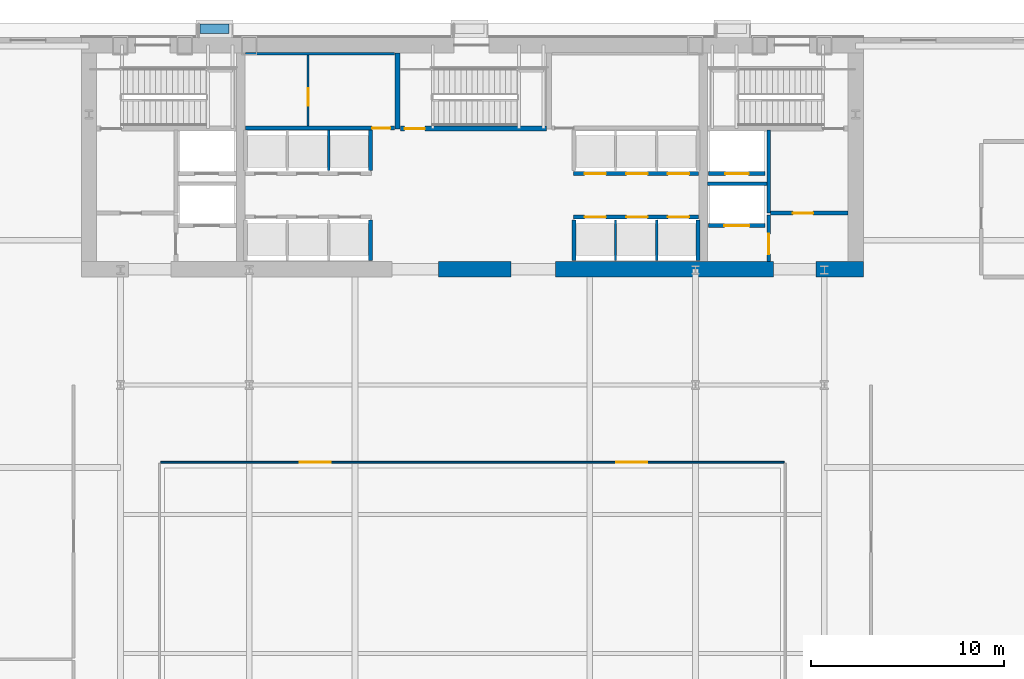
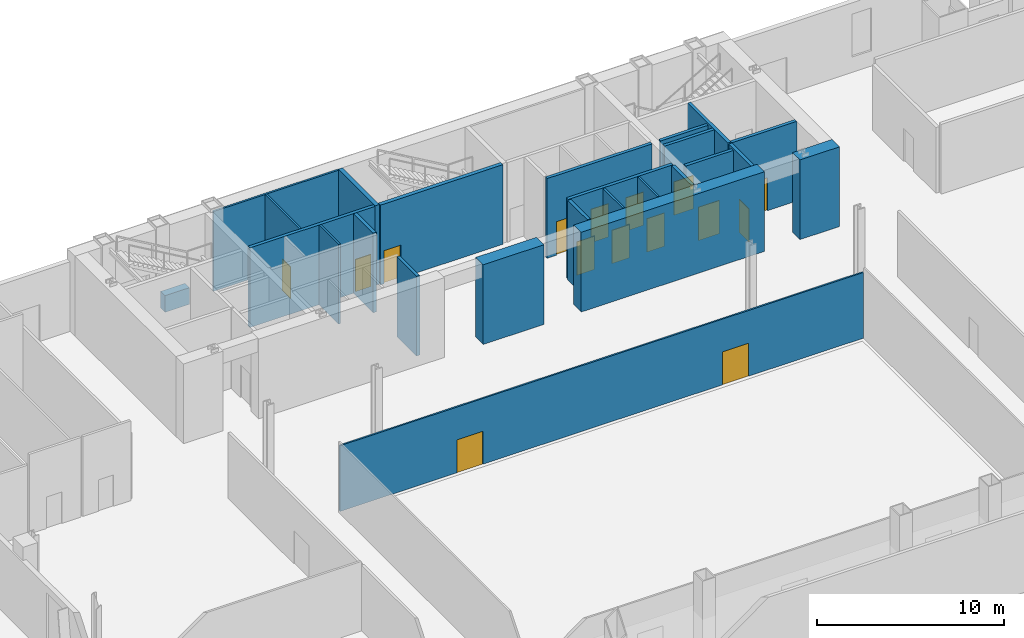
# One storey, part 10 of 16: 25 walls, 15 doors, 15 openings.
"""IFC4 building model written with IfcOpenShell, lengths in metres."""

from ifc_helpers import new_model, si_unit, direction, frame, frame_2d, origin, place, context, subcontext, project, spatial, rectangle, extrude, material, layer, layer_set, type_object, element, fill, save


model = new_model("IFC4")

# Units and contexts
model_context = context("Model", 3, precision=1e-05, world=origin(), true_north=direction((0.0, 1.0)))
body_context = subcontext(model_context, "Body", "Model", "MODEL_VIEW")
ifc_project = project(units=[si_unit("LENGTHUNIT", "METRE"), si_unit("AREAUNIT", "SQUARE_METRE"), si_unit("VOLUMEUNIT", "CUBIC_METRE"), si_unit("PLANEANGLEUNIT", "RADIAN"), si_unit("MASSUNIT", "GRAM", prefix="KILO")], contexts=[model_context])

# Site, building, storey
site_placement = place(None, origin())
site = spatial("IfcSite", under=ifc_project, at=site_placement, CompositionType="ELEMENT")
building_placement = place(site_placement, origin())
building = spatial("IfcBuilding", under=site, at=building_placement, Name="Khoronbel Lancet Exchange", CompositionType="ELEMENT")
storey_placement = place(building_placement, origin())
storey = spatial("IfcBuildingStorey", under=building, at=storey_placement, Name="L00", CompositionType="ELEMENT", Elevation=0.0)

# Walls
ifc_material_1 = material(Name="Concrete C80/95", Category="concrete")
ifc_layer_1 = layer(ifc_material_1, 0.800048828125, Name="Concrete C80/95")
ifc_layer_set_1 = layer_set([ifc_layer_1], Name="Concrete C80/95")
wall_type_1 = type_object("IfcWallType", Name="WL-CW1", PredefinedType="SHEAR", material=ifc_layer_set_1)
wall_1_placement = place(storey_placement, frame((38.449951171875, 41.699951171875, 0.0), z_axis=(0.0, 0.0, 1.0), x_axis=(-1.0, 0.0, 0.0)))
element("IfcWall", 1, at=wall_1_placement, inside=storey, type_object=wall_type_1, Name="Level L00 rear core south shear wall pier P3", PredefinedType="SHEAR", context=body_context, shape_type="SweptSolid", body=[
    extrude(rectangle(XDim=3.75, YDim=0.800048828125, at=frame_2d((1.875, 0.0))), origin(), (0.0, 0.0, 1.0), 5.199951171875),
])
wall_2_placement = place(storey_placement, frame((52.050048828125, 41.699951171875, 0.0), z_axis=(0.0, 0.0, 1.0), x_axis=(-1.0, 0.0, 0.0)))
element("IfcWall", 2, at=wall_2_placement, inside=storey, type_object=wall_type_1, Name="Level L00 rear core south shear wall pier P4", PredefinedType="SHEAR", context=body_context, shape_type="SweptSolid", body=[
    extrude(rectangle(XDim=11.300048828125, YDim=0.800048828125, at=frame_2d((5.64990234375, 0.0))), origin(), (0.0, 0.0, 1.0), 5.199951171875),
])
wall_3_placement = place(storey_placement, frame((56.699951171875, 41.699951171875, 0.0), z_axis=(0.0, 0.0, 1.0), x_axis=(-1.0, 0.0, 0.0)))
element("IfcWall", 3, at=wall_3_placement, inside=storey, type_object=wall_type_1, Name="Level L00 rear core south shear wall pier P5", PredefinedType="SHEAR", context=body_context, shape_type="SweptSolid", body=[
    extrude(rectangle(XDim=2.449951171875, YDim=0.800048828125, at=frame_2d((1.22509765625, 0.0))), origin(), (0.0, 0.0, 1.0), 5.199951171875),
])

# Wall, openings, doors
ifc_material_2 = material(Name="Demountable Bronze-Framed Acoustic Glass Partition 100 mm", Category="glass")
ifc_layer_2 = layer(ifc_material_2, 0.10009765625, Name="Demountable Bronze-Framed Acoustic Glass Partition 100 mm")
ifc_layer_set_2 = layer_set([ifc_layer_2], Name="Demountable Bronze-Framed Acoustic Glass Partition 100 mm")
wall_type_2 = type_object("IfcWallType", Name="WL-MOV100", PredefinedType="MOVABLE", material=ifc_layer_set_2)
wall_4_placement = place(storey_placement, frame((20.304931640625, 31.699951171875, 0.0), z_axis=(0.0, 0.0, 1.0), x_axis=(1.0, 0.0, 0.0)))
wall_4 = element("IfcWall", 4, at=wall_4_placement, inside=storey, type_object=wall_type_2, Name="Level L00 interior partition PW-L00-HN", PredefinedType="MOVABLE", context=body_context, shape_type="SweptSolid", body=[
    extrude(rectangle(XDim=32.2900390625, YDim=0.10009765625, at=frame_2d((16.14501953125, 0.0))), origin(), (0.0, 0.0, 1.0), 4.2900390625),
])
opening_1_placement = place(wall_4_placement, frame((7.199951171875, 0.0, 0.0)))
opening_1 = element("IfcOpeningElement", 5, at=opening_1_placement, cuts=wall_4, Name="Opening D9", PredefinedType="OPENING", context=body_context, shape_type="SweptSolid", body=[
    extrude(rectangle(XDim=1.60009765625, YDim=2.14990234375, at=frame_2d((0.800048828125, 1.074951171875))), frame((0.0, 0.06005859375, 0.0), z_axis=(0.0, -1.0, 0.0), x_axis=(1.0, 0.0, 0.0)), (0.0, 0.0, 1.0), 0.1201171875),
])
opening_2_placement = place(wall_4_placement, frame((23.60009765625, 0.0, 0.0)))
opening_2 = element("IfcOpeningElement", 6, at=opening_2_placement, cuts=wall_4, Name="Opening D9", PredefinedType="OPENING", context=body_context, shape_type="SweptSolid", body=[
    extrude(rectangle(XDim=1.60009765625, YDim=2.14990234375, at=frame_2d((0.800048828125, 1.074951171875))), frame((0.0, 0.06005859375, 0.0), z_axis=(0.0, -1.0, 0.0), x_axis=(1.0, 0.0, 0.0)), (0.0, 0.0, 1.0), 0.1201171875),
])
ifc_material_3 = material(Name="Glazed Bronze-Framed Double Hall Door", Category="aluminium")
door_type_1 = type_object("IfcDoorType", Name="DR-D9", OperationType="NOTDEFINED", PredefinedType="DOOR", material=ifc_material_3)
door_1_placement = place(opening_1_placement, origin())
door_1 = element("IfcDoor", 7, at=door_1_placement, inside=storey, type_object=door_type_1, Name="Market Hall north concourse door W L00-1", OperationType="DOUBLE_DOOR_SINGLE_SWING", OverallHeight=2.14990234375, OverallWidth=1.60009765625, PredefinedType="DOOR", context=body_context, shape_type="SweptSolid", body=[
    extrude(rectangle(XDim=1.60009765625, YDim=2.14990234375, at=frame_2d((0.800048828125, 1.074951171875))), frame((0.0, 0.02490234375, 0.0), z_axis=(0.0, -1.0, 0.0), x_axis=(1.0, 0.0, 0.0)), (0.0, 0.0, 1.0), 0.050048828125),
])
fill(opening_1, door_1)
door_2_placement = place(opening_2_placement, origin())
door_2 = element("IfcDoor", 8, at=door_2_placement, inside=storey, type_object=door_type_1, Name="Market Hall north concourse door E L00-2", OperationType="DOUBLE_DOOR_SINGLE_SWING", OverallHeight=2.14990234375, OverallWidth=1.60009765625, PredefinedType="DOOR", context=body_context, shape_type="SweptSolid", body=[
    extrude(rectangle(XDim=1.60009765625, YDim=2.14990234375, at=frame_2d((0.800048828125, 1.074951171875))), frame((0.0, 0.02490234375, 0.0), z_axis=(0.0, -1.0, 0.0), x_axis=(1.0, 0.0, 0.0)), (0.0, 0.0, 1.0), 0.050048828125),
])
fill(opening_2, door_2)

# Walls
ifc_material_4 = material(Name="Fire-Rated Metal-Stud & Mineral-Wool Gypsum Partition 120 mm", Category="gypsum")
ifc_layer_3 = layer(ifc_material_4, 0.1201171875, Name="Fire-Rated Metal-Stud & Mineral-Wool Gypsum Partition 120 mm")
ifc_layer_set_3 = layer_set([ifc_layer_3], Name="Fire-Rated Metal-Stud & Mineral-Wool Gypsum Partition 120 mm")
wall_type_3 = type_object("IfcWallType", Name="WL-PRT120F", PredefinedType="PARTITIONING", material=ifc_layer_set_3)
wall_5_placement = place(storey_placement, frame((29.02001953125, 46.800048828125, 0.0), z_axis=(0.0, 0.0, 1.0), x_axis=(0.0, 1.0, 0.0)))
element("IfcWall", 9, at=wall_5_placement, inside=storey, type_object=wall_type_3, Name="Level L00 interior partition CW-PL-D2", PredefinedType="PARTITIONING", context=body_context, shape_type="SweptSolid", body=[
    extrude(rectangle(XDim=2.094970703125, YDim=0.1201171875, at=frame_2d((1.04736328125, 0.0))), origin(), (0.0, 0.0, 1.0), 5.199951171875),
])
for number, where, z_axis, x_axis, name in (
    (10, (43.860107421875, 42.14990234375, 0.0), (0.0, 0.0, 1.0), (0.0, 1.0, 0.0), "Level L00 interior partition CW-PX-D1"),
    (11, (46.0, 42.14990234375, 0.0), (0.0, 0.0, 1.0), (0.0, 1.0, 0.0), "Level L00 interior partition CW-PX-D2"),
):
    element("IfcWall", number, at=place(storey_placement, frame(where, z_axis=z_axis, x_axis=x_axis)), inside=storey, type_object=wall_type_3, Name=name, PredefinedType="PARTITIONING", context=body_context, shape_type="SweptSolid", body=[
        extrude(rectangle(XDim=2.10009765625, YDim=0.1201171875, at=frame_2d((1.050048828125, 0.0))), origin(), (0.0, 0.0, 1.0), 5.199951171875),
    ])
wall_6_placement = place(storey_placement, frame((24.699951171875, 52.860107421875, 0.0), z_axis=(0.0, 0.0, 1.0), x_axis=(1.0, 0.0, 0.0)))
element("IfcWall", 12, at=wall_6_placement, inside=storey, type_object=wall_type_3, Name="Level L00 interior partition CW-SUP-NW-N", PredefinedType="PARTITIONING", context=body_context, shape_type="SweptSolid", body=[
    extrude(rectangle(XDim=7.719970703125, YDim=0.1201171875, at=frame_2d((3.85986328125, 0.0))), origin(), (0.0, 0.0, 1.0), 5.199951171875),
])

# Wall, opening, door
wall_7_placement = place(storey_placement, frame((27.9423828125, 49.10498046875, 0.0), z_axis=(0.0, 0.0, 1.0), x_axis=(0.0, 1.0, 0.0)))
wall_7 = element("IfcWall", 13, at=wall_7_placement, inside=storey, type_object=wall_type_3, Name="Level L00 interior partition CW-SUP-NW-M", PredefinedType="PARTITIONING", context=body_context, shape_type="SweptSolid", body=[
    extrude(rectangle(XDim=3.68994140625, YDim=0.1201171875, at=frame_2d((1.844970703125, 0.0))), origin(), (0.0, 0.0, 1.0), 5.199951171875),
])
opening_3_placement = place(wall_7_placement, frame((1.050048828125, 0.0, 0.0)))
opening_3 = element("IfcOpeningElement", 14, at=opening_3_placement, cuts=wall_7, Name="Opening FD4", PredefinedType="OPENING", context=body_context, shape_type="SweptSolid", body=[
    extrude(rectangle(XDim=0.89990234375, YDim=2.050048828125, at=frame_2d((0.449951171875, 1.02490234375))), frame((0.0, 0.070068359375, 0.0), z_axis=(0.0, -1.0, 0.0), x_axis=(1.0, 0.0, 0.0)), (0.0, 0.0, 1.0), 0.14013671875),
])
ifc_material_5 = material(Name="Fire-Rated Steel Core Support Door Assembly", Category="steel")
door_type_2 = type_object("IfcDoorType", Name="DR-FD4", OperationType="NOTDEFINED", PredefinedType="DOOR", material=ifc_material_5)
door_3_placement = place(opening_3_placement, origin())
door_3 = element("IfcDoor", 15, at=door_3_placement, inside=storey, type_object=door_type_2, Name="Core NW inner support door L00-1", OperationType="SINGLE_SWING_LEFT", OverallHeight=2.050048828125, OverallWidth=0.89990234375, PredefinedType="DOOR", context=body_context, shape_type="SweptSolid", body=[
    extrude(rectangle(XDim=0.89990234375, YDim=2.050048828125, at=frame_2d((0.449951171875, 1.02490234375))), frame((0.0, 0.02490234375, 0.0), z_axis=(0.0, -1.0, 0.0), x_axis=(1.0, 0.0, 0.0)), (0.0, 0.0, 1.0), 0.050048828125),
])
fill(opening_3, door_3)

# Wall, openings, doors
ifc_material_6 = material(Name="Autoclaved Aerated Concrete Blockwork 200 mm", Category="masonry")
ifc_layer_4 = layer(ifc_material_6, 0.199951171875, Name="Autoclaved Aerated Concrete Blockwork 200 mm")
ifc_layer_set_4 = layer_set([ifc_layer_4], Name="Autoclaved Aerated Concrete Blockwork 200 mm")
wall_type_4 = type_object("IfcWallType", Name="WL-PRT200", PredefinedType="PARTITIONING", material=ifc_layer_set_4)
wall_8_placement = place(storey_placement, frame((41.679931640625, 44.39990234375, 0.0), z_axis=(0.0, 0.0, 1.0), x_axis=(1.0, 0.0, 0.0)))
wall_8 = element("IfcWall", 16, at=wall_8_placement, inside=storey, type_object=wall_type_4, Name="Level L00 elevator hoistway landing front wall PXE", PredefinedType="PARTITIONING", context=body_context, shape_type="SweptSolid", body=[
    extrude(rectangle(XDim=6.47998046875, YDim=0.199951171875, at=frame_2d((3.239990234375, 0.0))), origin(), (0.0, 0.0, 1.0), 5.199951171875),
])
opening_4_placement = place(wall_8_placement, frame((0.580078125, 0.0, 0.0)))
opening_4 = element("IfcOpeningElement", 17, at=opening_4_placement, cuts=wall_8, Name="Opening LD-PX1", PredefinedType="OPENING", context=body_context, shape_type="SweptSolid", body=[
    extrude(rectangle(XDim=1.10009765625, YDim=2.179931640625, at=frame_2d((0.550048828125, 1.08984375))), frame((0.0, 0.10986328125, 0.0), z_axis=(0.0, -1.0, 0.0), x_axis=(1.0, 0.0, 0.0)), (0.0, 0.0, 1.0), 0.219970703125),
])
opening_5_placement = place(wall_8_placement, frame((2.739990234375, 0.0, 0.0)))
opening_5 = element("IfcOpeningElement", 18, at=opening_5_placement, cuts=wall_8, Name="Opening LD-PX2", PredefinedType="OPENING", context=body_context, shape_type="SweptSolid", body=[
    extrude(rectangle(XDim=1.10009765625, YDim=2.179931640625, at=frame_2d((0.550048828125, 1.08984375))), frame((0.0, 0.10986328125, 0.0), z_axis=(0.0, -1.0, 0.0), x_axis=(1.0, 0.0, 0.0)), (0.0, 0.0, 1.0), 0.219970703125),
])
opening_6_placement = place(wall_8_placement, frame((4.89990234375, 0.0, 0.0)))
opening_6 = element("IfcOpeningElement", 19, at=opening_6_placement, cuts=wall_8, Name="Opening LD-PX3", PredefinedType="OPENING", context=body_context, shape_type="SweptSolid", body=[
    extrude(rectangle(XDim=1.10009765625, YDim=2.179931640625, at=frame_2d((0.550048828125, 1.08984375))), frame((0.0, 0.10986328125, 0.0), z_axis=(0.0, -1.0, 0.0), x_axis=(1.0, 0.0, 0.0)), (0.0, 0.0, 1.0), 0.219970703125),
])
ifc_material_7 = material(Name="Brushed Bronze Bi-Parting Elevator Landing Door", Category="steel")
door_type_3 = type_object("IfcDoorType", Name="DR-LD-PAX", OperationType="NOTDEFINED", PredefinedType="DOOR", material=ifc_material_7)
door_4_placement = place(opening_4_placement, origin())
door_4 = element("IfcDoor", 20, at=door_4_placement, inside=storey, type_object=door_type_3, Name="Elevator landing sliding door LD-PX1 L00", OperationType="SLIDING_TO_LEFT", OverallHeight=2.179931640625, OverallWidth=1.10009765625, PredefinedType="DOOR", context=body_context, shape_type="SweptSolid", body=[
    extrude(rectangle(XDim=1.10009765625, YDim=2.179931640625, at=frame_2d((0.550048828125, 1.08984375))), frame((0.0, 0.02490234375, 0.0), z_axis=(0.0, -1.0, 0.0), x_axis=(1.0, 0.0, 0.0)), (0.0, 0.0, 1.0), 0.050048828125),
])
fill(opening_4, door_4)
door_5_placement = place(opening_5_placement, origin())
door_5 = element("IfcDoor", 21, at=door_5_placement, inside=storey, type_object=door_type_3, Name="Elevator landing sliding door LD-PX2 L00", OperationType="SLIDING_TO_LEFT", OverallHeight=2.179931640625, OverallWidth=1.10009765625, PredefinedType="DOOR", context=body_context, shape_type="SweptSolid", body=[
    extrude(rectangle(XDim=1.10009765625, YDim=2.179931640625, at=frame_2d((0.550048828125, 1.08984375))), frame((0.0, 0.02490234375, 0.0), z_axis=(0.0, -1.0, 0.0), x_axis=(1.0, 0.0, 0.0)), (0.0, 0.0, 1.0), 0.050048828125),
])
fill(opening_5, door_5)
door_6_placement = place(opening_6_placement, origin())
door_6 = element("IfcDoor", 22, at=door_6_placement, inside=storey, type_object=door_type_3, Name="Elevator landing sliding door LD-PX3 L00", OperationType="SLIDING_TO_LEFT", OverallHeight=2.179931640625, OverallWidth=1.10009765625, PredefinedType="DOOR", context=body_context, shape_type="SweptSolid", body=[
    extrude(rectangle(XDim=1.10009765625, YDim=2.179931640625, at=frame_2d((0.550048828125, 1.08984375))), frame((0.0, 0.02490234375, 0.0), z_axis=(0.0, -1.0, 0.0), x_axis=(1.0, 0.0, 0.0)), (0.0, 0.0, 1.0), 0.050048828125),
])
fill(opening_6, door_6)

# Wall, opening, door
wall_9_placement = place(storey_placement, frame((51.610107421875, 43.949951171875, 0.0), z_axis=(0.0, 0.0, 1.0), x_axis=(-1.0, 0.0, 0.0)))
wall_9 = element("IfcWall", 23, at=wall_9_placement, inside=storey, type_object=wall_type_4, Name="Level L00 elevator hoistway landing front wall SVLE", PredefinedType="PARTITIONING", context=body_context, shape_type="SweptSolid", body=[
    extrude(rectangle(XDim=2.920166015625, YDim=0.199951171875, at=frame_2d((1.4599609375, 0.0))), origin(), (0.0, 0.0, 1.0), 5.199951171875),
])
opening_7_placement = place(wall_9_placement, frame((0.81005859375, 0.0, 0.0)))
opening_7 = element("IfcOpeningElement", 24, at=opening_7_placement, cuts=wall_9, Name="Opening LD-SVL2", PredefinedType="OPENING", context=body_context, shape_type="SweptSolid", body=[
    extrude(rectangle(XDim=1.300048828125, YDim=2.179931640625, at=frame_2d((0.64990234375, 1.08984375))), frame((0.0, 0.10986328125, 0.0), z_axis=(0.0, -1.0, 0.0), x_axis=(1.0, 0.0, 0.0)), (0.0, 0.0, 1.0), 0.219970703125),
])
ifc_material_8 = material(Name="Heavy-Duty Bi-Parting Goods Lift Landing Door", Category="steel")
door_type_4 = type_object("IfcDoorType", Name="DR-LD-SVL", OperationType="NOTDEFINED", PredefinedType="DOOR", material=ifc_material_8)
door_7_placement = place(opening_7_placement, origin())
door_7 = element("IfcDoor", 25, at=door_7_placement, inside=storey, type_object=door_type_4, Name="Elevator landing sliding door LD-SVL2 L00", OperationType="SLIDING_TO_LEFT", OverallHeight=2.179931640625, OverallWidth=1.300048828125, PredefinedType="DOOR", context=body_context, shape_type="SweptSolid", body=[
    extrude(rectangle(XDim=1.300048828125, YDim=2.179931640625, at=frame_2d((0.64990234375, 1.08984375))), frame((0.0, 0.02490234375, 0.0), z_axis=(0.0, -1.0, 0.0), x_axis=(1.0, 0.0, 0.0)), (0.0, 0.0, 1.0), 0.050048828125),
])
fill(opening_7, door_7)

wall_10_placement = place(storey_placement, frame((51.610107421875, 46.64990234375, 0.0), z_axis=(0.0, 0.0, 1.0), x_axis=(-1.0, 0.0, 0.0)))
wall_10 = element("IfcWall", 26, at=wall_10_placement, inside=storey, type_object=wall_type_4, Name="Level L00 elevator hoistway landing front wall FFLE", PredefinedType="PARTITIONING", context=body_context, shape_type="SweptSolid", body=[
    extrude(rectangle(XDim=2.920166015625, YDim=0.199951171875, at=frame_2d((1.4599609375, 0.0))), origin(), (0.0, 0.0, 1.0), 5.199951171875),
])
opening_8_placement = place(wall_10_placement, frame((0.860107421875, 0.0, 0.0)))
opening_8 = element("IfcOpeningElement", 27, at=opening_8_placement, cuts=wall_10, Name="Opening LD-FFL2", PredefinedType="OPENING", context=body_context, shape_type="SweptSolid", body=[
    extrude(rectangle(XDim=1.199951171875, YDim=2.179931640625, at=frame_2d((0.60009765625, 1.08984375))), frame((0.0, 0.10986328125, 0.0), z_axis=(0.0, -1.0, 0.0), x_axis=(1.0, 0.0, 0.0)), (0.0, 0.0, 1.0), 0.219970703125),
])
ifc_material_9 = material(Name="Fire-Rated Stainless Bi-Parting Firefighting Lift Door", Category="steel")
door_type_5 = type_object("IfcDoorType", Name="DR-LD-FFL", OperationType="NOTDEFINED", PredefinedType="DOOR", material=ifc_material_9)
door_8_placement = place(opening_8_placement, origin())
door_8 = element("IfcDoor", 28, at=door_8_placement, inside=storey, type_object=door_type_5, Name="Elevator landing sliding door LD-FFL2 L00", OperationType="SLIDING_TO_LEFT", OverallHeight=2.179931640625, OverallWidth=1.199951171875, PredefinedType="DOOR", context=body_context, shape_type="SweptSolid", body=[
    extrude(rectangle(XDim=1.199951171875, YDim=2.179931640625, at=frame_2d((0.60009765625, 1.08984375))), frame((0.0, 0.02490234375, 0.0), z_axis=(0.0, -1.0, 0.0), x_axis=(1.0, 0.0, 0.0)), (0.0, 0.0, 1.0), 0.050048828125),
])
fill(opening_8, door_8)

# Wall, openings, doors
wall_11_placement = place(storey_placement, frame((48.159912109375, 46.64990234375, 0.0), z_axis=(0.0, 0.0, 1.0), x_axis=(-1.0, 0.0, 0.0)))
wall_11 = element("IfcWall", 29, at=wall_11_placement, inside=storey, type_object=wall_type_4, Name="Level L00 elevator hoistway landing front wall PHE", PredefinedType="PARTITIONING", context=body_context, shape_type="SweptSolid", body=[
    extrude(rectangle(XDim=6.47998046875, YDim=0.199951171875, at=frame_2d((3.239990234375, 0.0))), origin(), (0.0, 0.0, 1.0), 5.199951171875),
])
opening_9_placement = place(wall_11_placement, frame((4.800048828125, 0.0, 0.0)))
opening_9 = element("IfcOpeningElement", 30, at=opening_9_placement, cuts=wall_11, Name="Opening LD-PH1", PredefinedType="OPENING", context=body_context, shape_type="SweptSolid", body=[
    extrude(rectangle(XDim=1.10009765625, YDim=2.179931640625, at=frame_2d((0.550048828125, 1.08984375))), frame((0.0, 0.10986328125, 0.0), z_axis=(0.0, -1.0, 0.0), x_axis=(1.0, 0.0, 0.0)), (0.0, 0.0, 1.0), 0.219970703125),
])
opening_10_placement = place(wall_11_placement, frame((2.639892578125, 0.0, 0.0)))
opening_10 = element("IfcOpeningElement", 31, at=opening_10_placement, cuts=wall_11, Name="Opening LD-PH2", PredefinedType="OPENING", context=body_context, shape_type="SweptSolid", body=[
    extrude(rectangle(XDim=1.10009765625, YDim=2.179931640625, at=frame_2d((0.550048828125, 1.08984375))), frame((0.0, 0.10986328125, 0.0), z_axis=(0.0, -1.0, 0.0), x_axis=(1.0, 0.0, 0.0)), (0.0, 0.0, 1.0), 0.219970703125),
])
opening_11_placement = place(wall_11_placement, frame((0.47998046875, 0.0, 0.0)))
opening_11 = element("IfcOpeningElement", 32, at=opening_11_placement, cuts=wall_11, Name="Opening LD-PH3", PredefinedType="OPENING", context=body_context, shape_type="SweptSolid", body=[
    extrude(rectangle(XDim=1.10009765625, YDim=2.179931640625, at=frame_2d((0.550048828125, 1.08984375))), frame((0.0, 0.10986328125, 0.0), z_axis=(0.0, -1.0, 0.0), x_axis=(1.0, 0.0, 0.0)), (0.0, 0.0, 1.0), 0.219970703125),
])
door_9_placement = place(opening_9_placement, origin())
door_9 = element("IfcDoor", 33, at=door_9_placement, inside=storey, type_object=door_type_3, Name="Elevator landing sliding door LD-PH1 L00", OperationType="SLIDING_TO_LEFT", OverallHeight=2.179931640625, OverallWidth=1.10009765625, PredefinedType="DOOR", context=body_context, shape_type="SweptSolid", body=[
    extrude(rectangle(XDim=1.10009765625, YDim=2.179931640625, at=frame_2d((0.550048828125, 1.08984375))), frame((0.0, 0.02490234375, 0.0), z_axis=(0.0, -1.0, 0.0), x_axis=(1.0, 0.0, 0.0)), (0.0, 0.0, 1.0), 0.050048828125),
])
fill(opening_9, door_9)
door_10_placement = place(opening_10_placement, origin())
door_10 = element("IfcDoor", 34, at=door_10_placement, inside=storey, type_object=door_type_3, Name="Elevator landing sliding door LD-PH2 L00", OperationType="SLIDING_TO_LEFT", OverallHeight=2.179931640625, OverallWidth=1.10009765625, PredefinedType="DOOR", context=body_context, shape_type="SweptSolid", body=[
    extrude(rectangle(XDim=1.10009765625, YDim=2.179931640625, at=frame_2d((0.550048828125, 1.08984375))), frame((0.0, 0.02490234375, 0.0), z_axis=(0.0, -1.0, 0.0), x_axis=(1.0, 0.0, 0.0)), (0.0, 0.0, 1.0), 0.050048828125),
])
fill(opening_10, door_10)
door_11_placement = place(opening_11_placement, origin())
door_11 = element("IfcDoor", 35, at=door_11_placement, inside=storey, type_object=door_type_3, Name="Elevator landing sliding door LD-PH3 L00", OperationType="SLIDING_TO_LEFT", OverallHeight=2.179931640625, OverallWidth=1.10009765625, PredefinedType="DOOR", context=body_context, shape_type="SweptSolid", body=[
    extrude(rectangle(XDim=1.10009765625, YDim=2.179931640625, at=frame_2d((0.550048828125, 1.08984375))), frame((0.0, 0.02490234375, 0.0), z_axis=(0.0, -1.0, 0.0), x_axis=(1.0, 0.0, 0.0)), (0.0, 0.0, 1.0), 0.050048828125),
])
fill(opening_11, door_11)

# Wall
wall_12_placement = place(storey_placement, frame((51.800048828125, 44.60009765625, 0.0), z_axis=(0.0, 0.0, 1.0), x_axis=(0.0, 1.0, 0.0)))
element("IfcWall", 36, at=wall_12_placement, inside=storey, type_object=wall_type_4, Name="Level L00 interior partition CW-FFLE-W", PredefinedType="PARTITIONING", context=body_context, shape_type="SweptSolid", body=[
    extrude(rectangle(XDim=4.2998046875, YDim=0.199951171875, at=frame_2d((2.14990234375, 0.0))), origin(), (0.0, 0.0, 1.0), 5.199951171875),
])

# Wall, opening, door
wall_13_placement = place(storey_placement, frame((51.89990234375, 44.60009765625, 0.0), z_axis=(0.0, 0.0, 1.0), x_axis=(1.0, 0.0, 0.0)))
wall_13 = element("IfcWall", 37, at=wall_13_placement, inside=storey, type_object=wall_type_4, Name="Level L00 interior partition CW-FFLE-S", PredefinedType="PARTITIONING", context=body_context, shape_type="SweptSolid", body=[
    extrude(rectangle(XDim=4.0, YDim=0.199951171875, at=frame_2d((2.0, 0.0))), origin(), (0.0, 0.0, 1.0), 5.199951171875),
])
opening_12_placement = place(wall_13_placement, frame((1.14990234375, 0.0, 0.0)))
opening_12 = element("IfcOpeningElement", 38, at=opening_12_placement, cuts=wall_13, Name="Opening FD1", PredefinedType="OPENING", context=body_context, shape_type="SweptSolid", body=[
    extrude(rectangle(XDim=1.050048828125, YDim=2.14990234375, at=frame_2d((0.52490234375, 1.074951171875))), frame((0.0, 0.10986328125, 0.0), z_axis=(0.0, -1.0, 0.0), x_axis=(1.0, 0.0, 0.0)), (0.0, 0.0, 1.0), 0.219970703125),
])
ifc_material_10 = material(Name="Fire-Rated Painted Steel Door Assembly", Category="steel")
door_type_6 = type_object("IfcDoorType", Name="DR-FD1", OperationType="NOTDEFINED", PredefinedType="DOOR", material=ifc_material_10)
door_12_placement = place(opening_12_placement, origin())
door_12 = element("IfcDoor", 39, at=door_12_placement, inside=storey, type_object=door_type_6, Name="East firefighting lobby FD90S door L00-1", OperationType="SINGLE_SWING_RIGHT", OverallHeight=2.14990234375, OverallWidth=1.050048828125, PredefinedType="DOOR", context=body_context, shape_type="SweptSolid", body=[
    extrude(rectangle(XDim=1.050048828125, YDim=2.14990234375, at=frame_2d((0.52490234375, 1.074951171875))), frame((0.0, 0.02490234375, 0.0), z_axis=(0.0, -1.0, 0.0), x_axis=(1.0, 0.0, 0.0)), (0.0, 0.0, 1.0), 0.050048828125),
])
fill(opening_12, door_12)

# Wall
wall_14_placement = place(storey_placement, frame((48.6298828125, 46.1201171875, 0.0), z_axis=(0.0, 0.0, 1.0), x_axis=(1.0, 0.0, 0.0)))
element("IfcWall", 40, at=wall_14_placement, inside=storey, type_object=wall_type_4, Name="Level L00 interior partition CW-FFL2-S", PredefinedType="PARTITIONING", context=body_context, shape_type="SweptSolid", body=[
    extrude(rectangle(XDim=3.070068359375, YDim=0.199951171875, at=frame_2d((1.53515625, 0.0))), origin(), (0.0, 0.0, 1.0), 5.199951171875),
])

# Wall, opening, door
wall_15_placement = place(storey_placement, frame((51.800048828125, 42.10009765625, 0.0), z_axis=(0.0, 0.0, 1.0), x_axis=(0.0, 1.0, 0.0)))
wall_15 = element("IfcWall", 41, at=wall_15_placement, inside=storey, type_object=wall_type_4, Name="Level L00 interior partition CW-SVLE-E", PredefinedType="PARTITIONING", context=body_context, shape_type="SweptSolid", body=[
    extrude(rectangle(XDim=2.39501953125, YDim=0.199951171875, at=frame_2d((1.197509765625, 0.0))), origin(), (0.0, 0.0, 1.0), 5.199951171875),
])
opening_13_placement = place(wall_15_placement, frame((0.3798828125, 0.0, 0.0)))
opening_13 = element("IfcOpeningElement", 42, at=opening_13_placement, cuts=wall_15, Name="Opening FD1", PredefinedType="OPENING", context=body_context, shape_type="SweptSolid", body=[
    extrude(rectangle(XDim=1.050048828125, YDim=2.14990234375, at=frame_2d((0.52490234375, 1.074951171875))), frame((0.0, 0.10986328125, 0.0), z_axis=(0.0, -1.0, 0.0), x_axis=(1.0, 0.0, 0.0)), (0.0, 0.0, 1.0), 0.219970703125),
])
door_13_placement = place(opening_13_placement, origin())
door_13 = element("IfcDoor", 43, at=door_13_placement, inside=storey, type_object=door_type_6, Name="East service lift lobby door L00-1", OperationType="SINGLE_SWING_LEFT", OverallHeight=2.14990234375, OverallWidth=1.050048828125, PredefinedType="DOOR", context=body_context, shape_type="SweptSolid", body=[
    extrude(rectangle(XDim=1.050048828125, YDim=2.14990234375, at=frame_2d((0.52490234375, 1.074951171875))), frame((0.0, 0.02490234375, 0.0), z_axis=(0.0, -1.0, 0.0), x_axis=(1.0, 0.0, 0.0)), (0.0, 0.0, 1.0), 0.050048828125),
])
fill(opening_13, door_13)

# Walls
wall_16_placement = place(storey_placement, frame((31.179931640625, 46.800048828125, 0.0), z_axis=(0.0, 0.0, 1.0), x_axis=(0.0, 1.0, 0.0)))
element("IfcWall", 44, at=wall_16_placement, inside=storey, type_object=wall_type_4, Name="Level L00 interior partition CW-PL-E", PredefinedType="PARTITIONING", context=body_context, shape_type="SweptSolid", body=[
    extrude(rectangle(XDim=2.094970703125, YDim=0.199951171875, at=frame_2d((1.04736328125, 0.0))), origin(), (0.0, 0.0, 1.0), 5.199951171875),
])
for number, where, z_axis, x_axis, name in (
    (45, (31.179931640625, 42.14990234375, 0.0), (0.0, 0.0, 1.0), (0.0, 1.0, 0.0), "Level L00 interior partition CW-PM-E"),
    (46, (41.719970703125, 42.14990234375, 0.0), (0.0, 0.0, 1.0), (0.0, 1.0, 0.0), "Level L00 interior partition CW-PX-W"),
    (47, (48.139892578125, 42.14990234375, 0.0), (0.0, 0.0, 1.0), (0.0, 1.0, 0.0), "Level L00 interior partition CW-PX-E"),
):
    element("IfcWall", number, at=place(storey_placement, frame(where, z_axis=z_axis, x_axis=x_axis)), inside=storey, type_object=wall_type_4, Name=name, PredefinedType="PARTITIONING", context=body_context, shape_type="SweptSolid", body=[
        extrude(rectangle(XDim=2.10009765625, YDim=0.199951171875, at=frame_2d((1.050048828125, 0.0))), origin(), (0.0, 0.0, 1.0), 5.199951171875),
    ])

# Wall, opening, door
wall_17_placement = place(storey_placement, frame((24.699951171875, 49.0, 0.0), z_axis=(0.0, 0.0, 1.0), x_axis=(1.0, 0.0, 0.0)))
wall_17 = element("IfcWall", 48, at=wall_17_placement, inside=storey, type_object=wall_type_4, Name="Level L00 interior partition CW-SUP-NW-S", PredefinedType="PARTITIONING", context=body_context, shape_type="SweptSolid", body=[
    extrude(rectangle(XDim=7.719970703125, YDim=0.199951171875, at=frame_2d((3.85986328125, 0.0))), origin(), (0.0, 0.0, 1.0), 5.199951171875),
])
opening_14_placement = place(wall_17_placement, frame((6.56005859375, 0.0, 0.0)))
opening_14 = element("IfcOpeningElement", 49, at=opening_14_placement, cuts=wall_17, Name="Opening FD3", PredefinedType="OPENING", context=body_context, shape_type="SweptSolid", body=[
    extrude(rectangle(XDim=0.949951171875, YDim=2.10009765625, at=frame_2d((0.47509765625, 1.050048828125))), frame((0.0, 0.10986328125, 0.0), z_axis=(0.0, -1.0, 0.0), x_axis=(1.0, 0.0, 0.0)), (0.0, 0.0, 1.0), 0.219970703125),
])
ifc_material_11 = material(Name="Fire-Rated Steel Plant & Riser Door Assembly", Category="steel")
door_type_7 = type_object("IfcDoorType", Name="DR-FD3", OperationType="NOTDEFINED", PredefinedType="DOOR", material=ifc_material_11)
door_14_placement = place(opening_14_placement, origin())
door_14 = element("IfcDoor", 50, at=door_14_placement, inside=storey, type_object=door_type_7, Name="Core NW support room door L00-1", OperationType="SINGLE_SWING_RIGHT", OverallHeight=2.10009765625, OverallWidth=0.949951171875, PredefinedType="DOOR", context=body_context, shape_type="SweptSolid", body=[
    extrude(rectangle(XDim=0.949951171875, YDim=2.10009765625, at=frame_2d((0.47509765625, 1.050048828125))), frame((0.0, 0.02490234375, 0.0), z_axis=(0.0, -1.0, 0.0), x_axis=(1.0, 0.0, 0.0)), (0.0, 0.0, 1.0), 0.050048828125),
])
fill(opening_14, door_14)

# Walls
ifc_material_12 = material(Name="Concrete C60/75", Category="concrete")
ifc_layer_5 = layer(ifc_material_12, 0.52001953125, Name="Concrete C60/75")
ifc_layer_set_5 = layer_set([ifc_layer_5], Name="Concrete C60/75")
wall_type_5 = type_object("IfcWallType", Name="WL-RET500", PredefinedType="SOLIDWALL", material=ifc_layer_set_5)
wall_18_placement = place(storey_placement, frame((22.35009765625, 54.14990234375, -1.219970703125), z_axis=(0.0, 0.0, 1.0), x_axis=(1.0, 0.0, 0.0)))
element("IfcWall", 51, at=wall_18_placement, inside=storey, type_object=wall_type_5, Name="Accessible threshold ramp foundation pier 3", PredefinedType="SOLIDWALL", context=body_context, shape_type="SweptSolid", body=[
    extrude(rectangle(XDim=1.5, YDim=0.47998046875, at=frame_2d((0.75, 0.0))), origin(), (0.0, 0.0, 1.0), 1.080078125),
])
ifc_layer_6 = layer(ifc_material_12, 0.260009765625, Name="Concrete C60/75")
ifc_layer_set_6 = layer_set([ifc_layer_6], Name="Concrete C60/75")
wall_type_6 = type_object("IfcWallType", Name="WL-SW3", PredefinedType="SHEAR", material=ifc_layer_set_6)
wall_19_placement = place(storey_placement, frame((32.580078125, 48.949951171875, 0.0), z_axis=(0.0, 0.0, 1.0), x_axis=(0.0, 1.0, 0.0)))
element("IfcWall", 52, at=wall_19_placement, inside=storey, type_object=wall_type_6, Name="Level L00 central stairwell structural shear wall ST3W", PredefinedType="SHEAR", context=body_context, shape_type="SweptSolid", body=[
    extrude(rectangle(XDim=3.949951171875, YDim=0.260009765625, at=frame_2d((1.97509765625, 0.0))), origin(), (0.0, 0.0, 1.0), 5.199951171875),
])

# Wall, opening, door
wall_20_placement = place(storey_placement, frame((32.719970703125, 48.97998046875, 0.0), z_axis=(0.0, 0.0, 1.0), x_axis=(1.0, 0.0, 0.0)))
wall_20 = element("IfcWall", 53, at=wall_20_placement, inside=storey, type_object=wall_type_6, Name="Level L00 central stairwell structural south wall", PredefinedType="SHEAR", context=body_context, shape_type="SweptSolid", body=[
    extrude(rectangle(XDim=7.56005859375, YDim=0.239990234375, at=frame_2d((3.780029296875, 0.0))), origin(), (0.0, 0.0, 1.0), 5.199951171875),
])
opening_15_placement = place(wall_20_placement, frame((0.219970703125, 0.0, 0.0)))
opening_15 = element("IfcOpeningElement", 54, at=opening_15_placement, cuts=wall_20, Name="Opening SD1", PredefinedType="OPENING", context=body_context, shape_type="SweptSolid", body=[
    extrude(rectangle(XDim=1.050048828125, YDim=2.14990234375, at=frame_2d((0.52490234375, 1.074951171875))), frame((0.0, 0.1298828125, 0.0), z_axis=(0.0, -1.0, 0.0), x_axis=(1.0, 0.0, 0.0)), (0.0, 0.0, 1.0), 0.260009765625),
])
ifc_material_13 = material(Name="Fire-Rated Steel Stairwell Door Assembly", Category="steel")
door_type_8 = type_object("IfcDoorType", Name="DR-SD1", OperationType="NOTDEFINED", PredefinedType="DOOR", material=ifc_material_13)
door_15_placement = place(opening_15_placement, origin())
door_15 = element("IfcDoor", 55, at=door_15_placement, inside=storey, type_object=door_type_8, Name="Protected exit stair ST3 door L00", OperationType="SINGLE_SWING_LEFT", OverallHeight=2.14990234375, OverallWidth=1.050048828125, PredefinedType="DOOR", context=body_context, shape_type="SweptSolid", body=[
    extrude(rectangle(XDim=1.050048828125, YDim=2.14990234375, at=frame_2d((0.52490234375, 1.074951171875))), frame((0.0, 0.02490234375, 0.0), z_axis=(0.0, -1.0, 0.0), x_axis=(1.0, 0.0, 0.0)), (0.0, 0.0, 1.0), 0.050048828125),
])
fill(opening_15, door_15)

save(model, "model.ifc")
